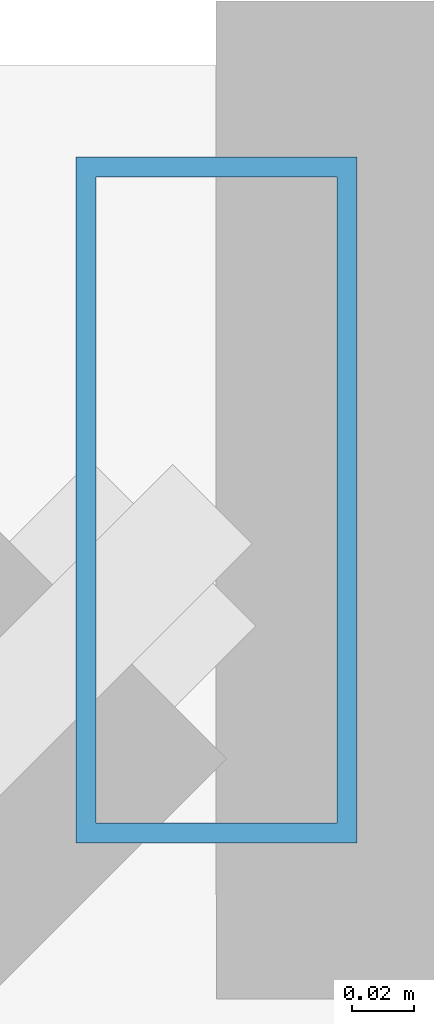
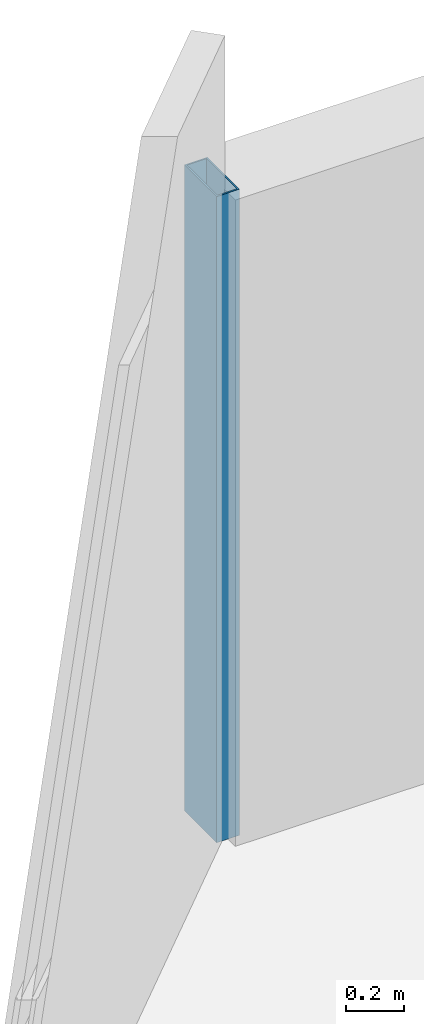
# One storey, part 16 of 34: 1 member, 1 element without a shape of its own.
"""IFC4 building model written with IfcOpenShell, lengths in metres."""

from ifc_helpers import new_model, si_unit, direction, frame, origin, origin_2d, place, context, subcontext, project, spatial, hollow_rectangle, extrude, material, material_profile, profile_set, type_object, element, aggregate, save


model = new_model("IFC4")

# Units and contexts
model_context = context("Model", 3, precision=1e-05, world=origin(), true_north=direction((0.0, 1.0)))
body_context = subcontext(model_context, "Body", "Model", "MODEL_VIEW")
ifc_project = project(units=[si_unit("LENGTHUNIT", "METRE"), si_unit("AREAUNIT", "SQUARE_METRE"), si_unit("VOLUMEUNIT", "CUBIC_METRE"), si_unit("PLANEANGLEUNIT", "RADIAN"), si_unit("MASSUNIT", "GRAM", prefix="KILO")], contexts=[model_context])

# Site, building, storey
site_placement = place(None, origin())
site = spatial("IfcSite", under=ifc_project, at=site_placement, CompositionType="ELEMENT")
building_placement = place(site_placement, origin())
building = spatial("IfcBuilding", under=site, at=building_placement, Name="Thornwick Lancets Civic Towers", CompositionType="ELEMENT")
storey_placement = place(building_placement, frame((0.0, 0.0, 53.699951171875)))
storey = spatial("IfcBuildingStorey", under=building, at=storey_placement, Name="L13", CompositionType="ELEMENT", Elevation=53.699951171875)

# Curtain wall, member
ifc_material_1 = material(Name="Low-zone chamfered-corner unitised glass curtain wall", Category="glass")
curtain_wall_type = type_object("IfcCurtainWallType", Name="CW_SYS_03", PredefinedType="NOTDEFINED", material=ifc_material_1)
curtain_wall_placement = place(storey_placement, origin())
curtain_wall = element("IfcCurtainWall", 1, at=curtain_wall_placement, inside=storey, type_object=curtain_wall_type, Name="L13 Curtain Wall CW-L13-B-E5", PredefinedType="NOTDEFINED")
ifc_material_2 = material(Name="Thermally broken bronze aluminium S355", Category="steel")
ifc_material_profile = material_profile(ifc_material_2, hollow_rectangle(XDim=0.090087890625, YDim=0.219970703125, WallThickness=0.00634765625, at=origin_2d()), Name="RHS 220x90x6.3")
ifc_profile_set = profile_set([ifc_material_profile], Name="Thermally broken bronze aluminium S355")
member_type = type_object("IfcMemberType", Name="CW_MUL_220", PredefinedType="MULLION", material=ifc_profile_set)
member_placement = place(storey_placement, frame((74.122802734375, 51.260498046875, 0.0), z_axis=(0.0, 0.0, 1.0), x_axis=(1.0, 0.0, 0.0)))
member = element("IfcMember", 2, at=member_placement, type_object=member_type, Name="CW-L13-B-E5 Mullion 0", PredefinedType="MULLION", context=body_context, shape_type="SweptSolid", body=[
    extrude(hollow_rectangle(XDim=0.090087890625, YDim=0.219970703125, WallThickness=0.00634765625, at=origin_2d()), origin(), (0.0, 0.0, 1.0), 2.699951171875),
])
aggregate(curtain_wall, [member])

save(model, "model.ifc")
